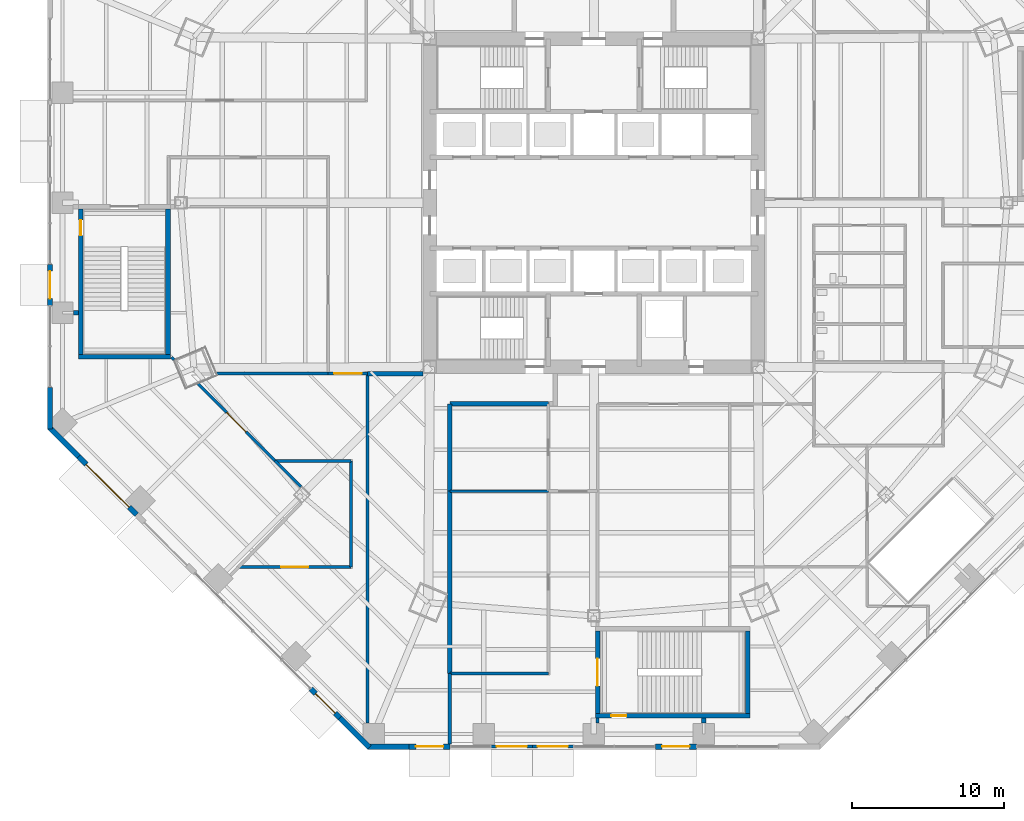
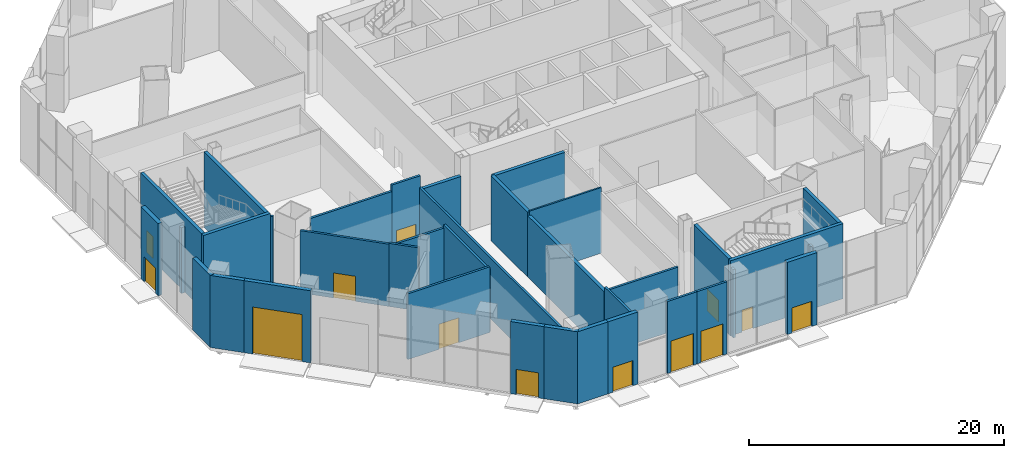
# One storey, part 19 of 35: 36 walls, 13 doors, 13 openings.
"""IFC4 building model written with IfcOpenShell, lengths in metres."""

from ifc_helpers import new_model, si_unit, direction, frame, frame_2d, origin, place, context, subcontext, project, spatial, rectangle, extrude, material, layer, layer_set, type_object, element, fill, save


model = new_model("IFC4")

# Units and contexts
model_context = context("Model", 3, precision=1e-05, world=origin(), true_north=direction((0.0, 1.0)))
body_context = subcontext(model_context, "Body", "Model", "MODEL_VIEW")
ifc_project = project(units=[si_unit("LENGTHUNIT", "METRE"), si_unit("AREAUNIT", "SQUARE_METRE"), si_unit("VOLUMEUNIT", "CUBIC_METRE"), si_unit("PLANEANGLEUNIT", "RADIAN"), si_unit("MASSUNIT", "GRAM", prefix="KILO")], contexts=[model_context])

# Site, building, storey
site_placement = place(None, origin())
site = spatial("IfcSite", under=ifc_project, at=site_placement, CompositionType="ELEMENT")
building_placement = place(site_placement, origin())
building = spatial("IfcBuilding", under=site, at=building_placement, Name="Mashrafa Tower", CompositionType="ELEMENT")
storey_placement = place(building_placement, origin())
storey = spatial("IfcBuildingStorey", under=building, at=storey_placement, Name="L00", CompositionType="ELEMENT", Elevation=0.0)

# Walls
ifc_material_1 = material(Name="Concrete masonry unit", Category="masonry")
ifc_layer_1 = layer(ifc_material_1, 0.199951171875)
ifc_layer_set_1 = layer_set([ifc_layer_1], Name="Blockwork wall 200 2 hr")
wall_type_1 = type_object("IfcWallType", Name="Blockwork wall 200 2 hr", PredefinedType="PARTITIONING", material=ifc_layer_set_1)
wall_1_placement = place(storey_placement, frame((-19.29638671875, -18.70361328125, 0.0), z_axis=(0.0, 0.0, 1.0), x_axis=(-0.707106781187, 0.707106781187, 0.0)))
element("IfcWall", 1, at=wall_1_placement, inside=storey, type_object=wall_type_1, Name="Blockwork wall L00-041", PredefinedType="PARTITIONING", context=body_context, shape_type="SweptSolid", body=[
    extrude(rectangle(XDim=2.41064453125, YDim=0.199951171875, at=frame_2d((1.205322265625, 0.0))), origin(), (0.0, 0.0, 1.0), 6.04931640625),
])
wall_2_placement = place(storey_placement, frame((-27.64990234375, -10.35009765625, 0.0), z_axis=(0.0, 0.0, 1.0), x_axis=(-0.707106781187, 0.707106781187, 0.0)))
element("IfcWall", 2, at=wall_2_placement, inside=storey, type_object=wall_type_1, Name="Blockwork wall L00-044", PredefinedType="PARTITIONING", context=body_context, shape_type="SweptSolid", body=[
    extrude(rectangle(XDim=0.25439453125, YDim=0.199951171875, at=frame_2d((0.127197265625, 0.0))), origin(), (0.0, 0.0, 1.0), 6.89990234375),
])
ifc_material_2 = material(Name="Concrete masonry unit", Category="masonry")
ifc_layer_2 = layer(ifc_material_2, 0.199951171875)
ifc_layer_set_2 = layer_set([ifc_layer_2], Name="Fire barrier wall 200 1 hr")
wall_type_2 = type_object("IfcWallType", Name="Fire barrier wall 200 1 hr", PredefinedType="PARTITIONING", material=ifc_layer_set_2)
wall_3_placement = place(storey_placement, frame((-14.89990234375, -11.25, 0.0), z_axis=(0.0, 0.0, 1.0), x_axis=(0.0, -1.0, 0.0)))
element("IfcWall", 3, at=wall_3_placement, inside=storey, type_object=wall_type_2, Name="Fire wall L00-010", PredefinedType="PARTITIONING", context=body_context, shape_type="SweptSolid", body=[
    extrude(rectangle(XDim=23.031005859375, YDim=0.199951171875, at=frame_2d((11.515625, 0.0))), origin(), (0.0, 0.0, 1.0), 5.7900390625),
])
wall_4_placement = place(storey_placement, frame((-9.489990234375, -35.64990234375, 0.0), z_axis=(0.0, 0.0, 1.0), x_axis=(0.0, 1.0, 0.0)))
element("IfcWall", 4, at=wall_4_placement, inside=storey, type_object=wall_type_2, Name="Fire wall L00-014", PredefinedType="PARTITIONING", context=body_context, shape_type="SweptSolid", body=[
    extrude(rectangle(XDim=4.65087890625, YDim=0.199951171875, at=frame_2d((2.325439453125, 0.0))), origin(), (0.0, 0.0, 1.0), 6.2880859375),
])
wall_5_placement = place(storey_placement, frame((0.25, -33.949462890625, 0.0), z_axis=(0.0, 0.0, 1.0), x_axis=(0.0, -1.0, 0.0)))
element("IfcWall", 5, at=wall_5_placement, inside=storey, type_object=wall_type_2, Name="Fire wall L00-024", PredefinedType="PARTITIONING", context=body_context, shape_type="SweptSolid", body=[
    extrude(rectangle(XDim=0.33154296875, YDim=0.199951171875, at=frame_2d((0.165771484375, 0.0))), origin(), (0.0, 0.0, 1.0), 6.534423828125),
])

# Wall, opening, door
wall_6_placement = place(storey_placement, frame((-20.9990234375, -17.0009765625, 0.0), z_axis=(0.0, 0.0, 1.0), x_axis=(-0.707106781187, 0.707106781187, 0.0)))
wall_6 = element("IfcWall", 6, at=wall_6_placement, inside=storey, type_object=wall_type_2, Name="Fire wall L00-042", PredefinedType="PARTITIONING", context=body_context, shape_type="SweptSolid", body=[
    extrude(rectangle(XDim=7.199951171875, YDim=0.199951171875, at=frame_2d((3.60009765625, 0.0))), origin(), (0.0, 0.0, 1.0), 5.962890625),
])
opening_1_placement = place(wall_6_placement, frame((2.699951171875, 0.0, 0.0)))
opening_1 = element("IfcOpeningElement", 7, at=opening_1_placement, cuts=wall_6, Name="Opening 00.006", PredefinedType="OPENING", context=body_context, shape_type="SweptSolid", body=[
    extrude(rectangle(XDim=1.800048828125, YDim=2.39990234375, at=frame_2d((0.89990234375, 1.199951171875))), frame((0.0, 0.10986328125, 0.0), z_axis=(0.0, -1.0, 0.0), x_axis=(1.0, 0.0, 0.0)), (0.0, 0.0, 1.0), 0.219970703125),
])
ifc_material_3 = material(Name="Steel door", Category="steel")
door_type_1 = type_object("IfcDoorType", Name="Door pair 1800 x 2400 90 min", OperationType="DOUBLE_DOOR_SINGLE_SWING", PredefinedType="DOOR", material=ifc_material_3)
door_1_placement = place(opening_1_placement, origin())
door_1 = element("IfcDoor", 8, at=door_1_placement, inside=storey, type_object=door_type_1, Name="Loading Dock door", OperationType="DOUBLE_DOOR_SINGLE_SWING", OverallHeight=2.39990234375, OverallWidth=1.800048828125, PredefinedType="DOOR", context=body_context, shape_type="SweptSolid", body=[
    extrude(rectangle(XDim=1.800048828125, YDim=2.39990234375, at=frame_2d((0.89990234375, 1.199951171875))), frame((0.0, 0.02490234375, 0.0), z_axis=(0.0, -1.0, 0.0), x_axis=(1.0, 0.0, 0.0)), (0.0, 0.0, 1.0), 0.050048828125),
])
fill(opening_1, door_1)

wall_7_placement = place(storey_placement, frame((-23.405517578125, -24.0, 0.0), z_axis=(0.0, 0.0, 1.0), x_axis=(1.0, 0.0, 0.0)))
wall_7 = element("IfcWall", 9, at=wall_7_placement, inside=storey, type_object=wall_type_2, Name="Fire wall L00-045", PredefinedType="PARTITIONING", context=body_context, shape_type="SweptSolid", body=[
    extrude(rectangle(XDim=7.405517578125, YDim=0.199951171875, at=frame_2d((3.70263671875, 0.0))), origin(), (0.0, 0.0, 1.0), 6.29052734375),
])
opening_2_placement = place(wall_7_placement, frame((2.802734375, 0.0, 0.0)))
opening_2 = element("IfcOpeningElement", 10, at=opening_2_placement, cuts=wall_7, Name="Opening 00.007", PredefinedType="OPENING", context=body_context, shape_type="SweptSolid", body=[
    extrude(rectangle(XDim=1.800048828125, YDim=2.39990234375, at=frame_2d((0.89990234375, 1.199951171875))), frame((0.0, 0.10986328125, 0.0), z_axis=(0.0, -1.0, 0.0), x_axis=(1.0, 0.0, 0.0)), (0.0, 0.0, 1.0), 0.219970703125),
])
door_2_placement = place(opening_2_placement, origin())
door_2 = element("IfcDoor", 11, at=door_2_placement, inside=storey, type_object=door_type_1, Name="Refuse Store L00 door", OperationType="DOUBLE_DOOR_SINGLE_SWING", OverallHeight=2.39990234375, OverallWidth=1.800048828125, PredefinedType="DOOR", context=body_context, shape_type="SweptSolid", body=[
    extrude(rectangle(XDim=1.800048828125, YDim=2.39990234375, at=frame_2d((0.89990234375, 1.199951171875))), frame((0.0, 0.02490234375, 0.0), z_axis=(0.0, -1.0, 0.0), x_axis=(1.0, 0.0, 0.0)), (0.0, 0.0, 1.0), 0.050048828125),
])
fill(opening_2, door_2)

# Walls
wall_8_placement = place(storey_placement, frame((-16.0, -24.0, 0.0), z_axis=(0.0, 0.0, 1.0), x_axis=(0.0, 1.0, 0.0)))
element("IfcWall", 12, at=wall_8_placement, inside=storey, type_object=wall_type_2, Name="Fire wall L00-046", PredefinedType="PARTITIONING", context=body_context, shape_type="SweptSolid", body=[
    extrude(rectangle(XDim=7.0, YDim=0.199951171875, at=frame_2d((3.5, 0.0))), origin(), (0.0, 0.0, 1.0), 6.04931640625),
])
wall_9_placement = place(storey_placement, frame((-16.0, -17.0, 0.0), z_axis=(0.0, 0.0, 1.0), x_axis=(-1.0, 0.0, 0.0)))
element("IfcWall", 13, at=wall_9_placement, inside=storey, type_object=wall_type_2, Name="Fire wall L00-047", PredefinedType="PARTITIONING", context=body_context, shape_type="SweptSolid", body=[
    extrude(rectangle(XDim=5.0, YDim=0.199951171875, at=frame_2d((2.5, 0.0))), origin(), (0.0, 0.0, 1.0), 5.7900390625),
])
wall_10_placement = place(storey_placement, frame((-17.4990234375, -11.25, 0.0), z_axis=(0.0, 0.0, 1.0), x_axis=(-1.0, 0.0, 0.0)))
element("IfcWall", 14, at=wall_10_placement, inside=storey, type_object=wall_type_2, Name="Fire wall L00-048", PredefinedType="PARTITIONING", context=body_context, shape_type="SweptSolid", body=[
    extrude(rectangle(XDim=7.35400390625, YDim=0.199951171875, at=frame_2d((3.677001953125, 0.0))), origin(), (0.0, 0.0, 1.0), 6.2880859375),
])

# Wall, opening, door
wall_11_placement = place(storey_placement, frame((-14.89990234375, -11.25, 0.0), z_axis=(0.0, 0.0, 1.0), x_axis=(-1.0, 0.0, 0.0)))
wall_11 = element("IfcWall", 15, at=wall_11_placement, inside=storey, type_object=wall_type_2, Name="Fire wall L00-049", PredefinedType="PARTITIONING", context=body_context, shape_type="SweptSolid", body=[
    extrude(rectangle(XDim=2.60107421875, YDim=0.199951171875, at=frame_2d((1.300537109375, 0.0))), origin(), (0.0, 0.0, 1.0), 6.89990234375),
])
opening_3_placement = place(wall_11_placement, frame((0.400390625, 0.0, 0.0)))
opening_3 = element("IfcOpeningElement", 16, at=opening_3_placement, cuts=wall_11, Name="Opening 00.008", PredefinedType="OPENING", context=body_context, shape_type="SweptSolid", body=[
    extrude(rectangle(XDim=1.800048828125, YDim=2.39990234375, at=frame_2d((0.89990234375, 1.199951171875))), frame((0.0, 0.10986328125, 0.0), z_axis=(0.0, -1.0, 0.0), x_axis=(1.0, 0.0, 0.0)), (0.0, 0.0, 1.0), 0.219970703125),
])
door_3_placement = place(opening_3_placement, frame((1.800048828125, 0.0, 0.0), z_axis=(0.0, 0.0, 1.0), x_axis=(-1.0, 0.0, 0.0)))
door_3 = element("IfcDoor", 17, at=door_3_placement, inside=storey, type_object=door_type_1, Name="Service Entrance Lobby L00 door", OperationType="DOUBLE_DOOR_SINGLE_SWING", OverallHeight=2.39990234375, OverallWidth=1.800048828125, PredefinedType="DOOR", context=body_context, shape_type="SweptSolid", body=[
    extrude(rectangle(XDim=1.800048828125, YDim=2.39990234375, at=frame_2d((0.89990234375, 1.199951171875))), frame((0.0, 0.02490234375, 0.0), z_axis=(0.0, -1.0, 0.0), x_axis=(1.0, 0.0, 0.0)), (0.0, 0.0, 1.0), 0.050048828125),
])
fill(opening_3, door_3)

# Wall
wall_12_placement = place(storey_placement, frame((-9.489990234375, -31.0, 0.0), z_axis=(0.0, 0.0, 1.0), x_axis=(1.0, 0.0, 0.0)))
element("IfcWall", 18, at=wall_12_placement, inside=storey, type_object=wall_type_2, Name="Fire wall L00-110", PredefinedType="PARTITIONING", context=body_context, shape_type="SweptSolid", body=[
    extrude(rectangle(XDim=6.489990234375, YDim=0.199951171875, at=frame_2d((3.2451171875, 0.0))), origin(), (0.0, 0.0, 1.0), 5.962890625),
])

# Wall, opening, door
ifc_material_4 = material(Name="Bronze-framed glazed screen")
ifc_layer_3 = layer(ifc_material_4, 0.199951171875)
ifc_layer_set_3 = layer_set([ifc_layer_3], Name="Glazed door screen 200")
wall_type_3 = type_object("IfcWallType", Name="Glazed door screen 200", PredefinedType="SOLIDWALL", material=ifc_layer_set_3)
wall_13_placement = place(storey_placement, frame((-6.75927734375, -35.824951171875, 0.0), z_axis=(0.0, 0.0, 1.0), x_axis=(1.0, 0.0, 0.0)))
wall_13 = element("IfcWall", 19, at=wall_13_placement, inside=storey, type_object=wall_type_3, Name="Glazed entrance screen L00 south bay 4", PredefinedType="SOLIDWALL", context=body_context, shape_type="SweptSolid", body=[
    extrude(rectangle(XDim=2.703857421875, YDim=0.199951171875, at=frame_2d((1.35205078125, 0.0))), origin(), (0.0, 0.0, 1.0), 6.89990234375),
])
opening_4_placement = place(wall_13_placement, frame((0.351806640625, 0.0, 0.0)))
opening_4 = element("IfcOpeningElement", 20, at=opening_4_placement, cuts=wall_13, Name="Opening ED1", PredefinedType="OPENING", context=body_context, shape_type="SweptSolid", body=[
    extrude(rectangle(XDim=2.0, YDim=3.0, at=frame_2d((1.0, 1.5))), frame((0.0, 0.10986328125, 0.0), z_axis=(0.0, -1.0, 0.0), x_axis=(1.0, 0.0, 0.0)), (0.0, 0.0, 1.0), 0.219970703125),
])
ifc_material_5 = material(Name="Bronze-framed glazed entrance door")
door_type_2 = type_object("IfcDoorType", Name="Entrance door pair 2000 x 3000", OperationType="DOUBLE_DOOR_SINGLE_SWING", PredefinedType="DOOR", material=ifc_material_5)
door_4_placement = place(opening_4_placement, origin())
door_4 = element("IfcDoor", 21, at=door_4_placement, inside=storey, type_object=door_type_2, Name="Apartment lobby entrance south", OperationType="SINGLE_SWING_LEFT", OverallHeight=3.0, OverallWidth=2.0, PredefinedType="DOOR", context=body_context, shape_type="SweptSolid", body=[
    extrude(rectangle(XDim=2.0, YDim=3.0, at=frame_2d((1.0, 1.5))), frame((0.0, 0.02490234375, 0.0), z_axis=(0.0, -1.0, 0.0), x_axis=(1.0, 0.0, 0.0)), (0.0, 0.0, 1.0), 0.050048828125),
])
fill(opening_4, door_4)

wall_14_placement = place(storey_placement, frame((-4.055419921875, -35.824951171875, 0.0), z_axis=(0.0, 0.0, 1.0), x_axis=(1.0, 0.0, 0.0)))
wall_14 = element("IfcWall", 22, at=wall_14_placement, inside=storey, type_object=wall_type_3, Name="Glazed entrance screen L00 south bay 5", PredefinedType="SOLIDWALL", context=body_context, shape_type="SweptSolid", body=[
    extrude(rectangle(XDim=2.70361328125, YDim=0.199951171875, at=frame_2d((1.351806640625, 0.0))), origin(), (0.0, 0.0, 1.0), 6.89990234375),
])
opening_5_placement = place(wall_14_placement, frame((0.351806640625, 0.0, 0.0)))
opening_5 = element("IfcOpeningElement", 23, at=opening_5_placement, cuts=wall_14, Name="Opening ED1", PredefinedType="OPENING", context=body_context, shape_type="SweptSolid", body=[
    extrude(rectangle(XDim=2.0, YDim=3.0, at=frame_2d((1.0, 1.5))), frame((0.0, 0.10986328125, 0.0), z_axis=(0.0, -1.0, 0.0), x_axis=(1.0, 0.0, 0.0)), (0.0, 0.0, 1.0), 0.219970703125),
])
door_5_placement = place(opening_5_placement, origin())
door_5 = element("IfcDoor", 24, at=door_5_placement, inside=storey, type_object=door_type_2, Name="Apartment lobby entrance south", OperationType="SINGLE_SWING_LEFT", OverallHeight=3.0, OverallWidth=2.0, PredefinedType="DOOR", context=body_context, shape_type="SweptSolid", body=[
    extrude(rectangle(XDim=2.0, YDim=3.0, at=frame_2d((1.0, 1.5))), frame((0.0, 0.02490234375, 0.0), z_axis=(0.0, -1.0, 0.0), x_axis=(1.0, 0.0, 0.0)), (0.0, 0.0, 1.0), 0.050048828125),
])
fill(opening_5, door_5)

ifc_material_6 = material(Name="Riyadh limestone cladding on blockwork", Category="masonry")
ifc_layer_4 = layer(ifc_material_6, 0.35009765625)
ifc_layer_set_4 = layer_set([ifc_layer_4], Name="Limestone-clad external wall 350")
wall_type_4 = type_object("IfcWallType", Name="Limestone-clad external wall 350", PredefinedType="SOLIDWALL", material=ifc_layer_set_4)
wall_15_placement = place(storey_placement, frame((-35.824951171875, -4.055419921875, 0.0), z_axis=(0.0, 0.0, 1.0), x_axis=(0.0, -1.0, 0.0)))
wall_15 = element("IfcWall", 25, at=wall_15_placement, inside=storey, type_object=wall_type_4, Name="Limestone door bay L00 west bay 8", PredefinedType="SOLIDWALL", context=body_context, shape_type="SweptSolid", body=[
    extrude(rectangle(XDim=2.703857421875, YDim=0.35009765625, at=frame_2d((1.35205078125, 0.0))), origin(), (0.0, 0.0, 1.0), 6.89990234375),
])
opening_6_placement = place(wall_15_placement, frame((0.451904296875, 0.0, 0.0)))
opening_6 = element("IfcOpeningElement", 26, at=opening_6_placement, cuts=wall_15, Name="Opening ED2", PredefinedType="OPENING", context=body_context, shape_type="SweptSolid", body=[
    extrude(rectangle(XDim=1.800048828125, YDim=2.39990234375, at=frame_2d((0.89990234375, 1.199951171875))), frame((0.0, 0.18505859375, 0.0), z_axis=(0.0, -1.0, 0.0), x_axis=(1.0, 0.0, 0.0)), (0.0, 0.0, 1.0), 0.3701171875),
])
ifc_material_7 = material(Name="Steel exit door", Category="steel")
door_type_3 = type_object("IfcDoorType", Name="Exit discharge door pair 1800 x 2400", OperationType="DOUBLE_DOOR_SINGLE_SWING", PredefinedType="DOOR", material=ifc_material_7)
door_6_placement = place(opening_6_placement, frame((1.800048828125, 0.0, 0.0), z_axis=(0.0, 0.0, 1.0), x_axis=(-1.0, 0.0, 0.0)))
door_6 = element("IfcDoor", 27, at=door_6_placement, inside=storey, type_object=door_type_3, Name="Stair P3 exit discharge west", OperationType="DOUBLE_DOOR_SINGLE_SWING", OverallHeight=2.39990234375, OverallWidth=1.800048828125, PredefinedType="DOOR", context=body_context, shape_type="SweptSolid", body=[
    extrude(rectangle(XDim=1.800048828125, YDim=2.39990234375, at=frame_2d((0.89990234375, 1.199951171875))), frame((0.0, 0.02490234375, 0.0), z_axis=(0.0, -1.0, 0.0), x_axis=(1.0, 0.0, 0.0)), (0.0, 0.0, 1.0), 0.050048828125),
])
fill(opening_6, door_6)

# Walls
for number, where, z_axis, x_axis, name in (
    (28, (-35.824951171875, -12.16650390625, 0.0), (0.0, 0.0, 1.0), (0.0, -1.0, 0.0), "Limestone corner pier L00 west bay 11"),
    (29, (-35.876220703125, -14.787841796875, 0.0), (0.0, 0.0, 1.0), (0.707106781187, -0.707106781187, 0.0), "Limestone corner pier L00 south-west bay 1"),
):
    element("IfcWall", number, at=place(storey_placement, frame(where, z_axis=z_axis, x_axis=x_axis)), inside=storey, type_object=wall_type_4, Name=name, PredefinedType="SOLIDWALL", context=body_context, shape_type="SweptSolid", body=[
        extrude(rectangle(XDim=2.7451171875, YDim=0.35009765625, at=frame_2d((1.37255859375, 0.0))), origin(), (0.0, 0.0, 1.0), 6.89990234375),
    ])

# Wall, opening, door
wall_16_placement = place(storey_placement, frame((-33.93505859375, -16.72900390625, 0.0), z_axis=(0.0, 0.0, 1.0), x_axis=(0.707084206144, -0.707129355509, 0.0)))
wall_16 = element("IfcWall", 30, at=wall_16_placement, inside=storey, type_object=wall_type_4, Name="Limestone door bay L00 south-west bay 2", PredefinedType="SOLIDWALL", context=body_context, shape_type="SweptSolid", body=[
    extrude(rectangle(XDim=5.407470703125, YDim=0.35009765625, at=frame_2d((2.70361328125, 0.0))), origin(), (0.0, 0.0, 1.0), 6.89990234375),
])
opening_7_placement = place(wall_16_placement, frame((0.70361328125, 0.0, 0.0)))
opening_7 = element("IfcOpeningElement", 31, at=opening_7_placement, cuts=wall_16, Name="Opening ED3", PredefinedType="OPENING", context=body_context, shape_type="SweptSolid", body=[
    extrude(rectangle(XDim=4.0, YDim=4.5, at=frame_2d((2.0, 2.25))), frame((0.0, 0.18505859375, 0.0), z_axis=(0.0, -1.0, 0.0), x_axis=(1.0, 0.0, 0.0)), (0.0, 0.0, 1.0), 0.3701171875),
])
ifc_material_8 = material(Name="Galvanised steel roller shutter", Category="steel")
door_type_4 = type_object("IfcDoorType", Name="Loading dock roller shutter 4000 x 4500", OperationType="ROLLINGUP", PredefinedType="DOOR", material=ifc_material_8)
door_7_placement = place(opening_7_placement, origin())
door_7 = element("IfcDoor", 32, at=door_7_placement, inside=storey, type_object=door_type_4, Name="Loading dock south-west", OperationType="SINGLE_SWING_LEFT", OverallHeight=4.5, OverallWidth=4.0, PredefinedType="DOOR", context=body_context, shape_type="SweptSolid", body=[
    extrude(rectangle(XDim=4.0, YDim=4.5, at=frame_2d((2.0, 2.25))), frame((0.0, 0.02490234375, 0.0), z_axis=(0.0, -1.0, 0.0), x_axis=(1.0, 0.0, 0.0)), (0.0, 0.0, 1.0), 0.050048828125),
])
fill(opening_7, door_7)

wall_17_placement = place(storey_placement, frame((-18.640869140625, -32.0234375, 0.0), z_axis=(0.0, 0.0, 1.0), x_axis=(0.707151930551, -0.707061628939, 0.0)))
wall_17 = element("IfcWall", 33, at=wall_17_placement, inside=storey, type_object=wall_type_4, Name="Limestone door bay L00 south-west bay 10", PredefinedType="SOLIDWALL", context=body_context, shape_type="SweptSolid", body=[
    extrude(rectangle(XDim=2.70361328125, YDim=0.35009765625, at=frame_2d((1.351806640625, 0.0))), origin(), (0.0, 0.0, 1.0), 6.89990234375),
])
opening_8_placement = place(wall_17_placement, frame((0.451904296875, 0.0, 0.0)))
opening_8 = element("IfcOpeningElement", 34, at=opening_8_placement, cuts=wall_17, Name="Opening ED2", PredefinedType="OPENING", context=body_context, shape_type="SweptSolid", body=[
    extrude(rectangle(XDim=1.800048828125, YDim=2.39990234375, at=frame_2d((0.89990234375, 1.199951171875))), frame((0.0, 0.18505859375, 0.0), z_axis=(0.0, -1.0, 0.0), x_axis=(1.0, 0.0, 0.0)), (0.0, 0.0, 1.0), 0.3701171875),
])
door_8_placement = place(opening_8_placement, frame((1.800048828125, 0.0, 0.0), z_axis=(0.0, 0.0, 1.0), x_axis=(-1.0, 0.0, 0.0)))
door_8 = element("IfcDoor", 35, at=door_8_placement, inside=storey, type_object=door_type_3, Name="Service entrance south-west", OperationType="DOUBLE_DOOR_SINGLE_SWING", OverallHeight=2.39990234375, OverallWidth=1.800048828125, PredefinedType="DOOR", context=body_context, shape_type="SweptSolid", body=[
    extrude(rectangle(XDim=1.800048828125, YDim=2.39990234375, at=frame_2d((0.89990234375, 1.199951171875))), frame((0.0, 0.02490234375, 0.0), z_axis=(0.0, -1.0, 0.0), x_axis=(1.0, 0.0, 0.0)), (0.0, 0.0, 1.0), 0.050048828125),
])
fill(opening_8, door_8)

# Walls
for number, where, z_axis, x_axis, name in (
    (36, (-16.72900390625, -33.93505859375, 0.0), (0.0, 0.0, 1.0), (0.707106781187, -0.707106781187, 0.0), "Limestone corner pier L00 south-west bay 11"),
    (37, (-14.91162109375, -35.824951171875, 0.0), (0.0, 0.0, 1.0), (1.0, 0.0, 0.0), "Limestone corner pier L00 south bay 1"),
):
    element("IfcWall", number, at=place(storey_placement, frame(where, z_axis=z_axis, x_axis=x_axis)), inside=storey, type_object=wall_type_4, Name=name, PredefinedType="SOLIDWALL", context=body_context, shape_type="SweptSolid", body=[
        extrude(rectangle(XDim=2.7451171875, YDim=0.35009765625, at=frame_2d((1.37255859375, 0.0))), origin(), (0.0, 0.0, 1.0), 6.89990234375),
    ])

# Wall, opening, door
wall_18_placement = place(storey_placement, frame((-12.16650390625, -35.824951171875, 0.0), z_axis=(0.0, 0.0, 1.0), x_axis=(1.0, 0.0, 0.0)))
wall_18 = element("IfcWall", 38, at=wall_18_placement, inside=storey, type_object=wall_type_4, Name="Limestone door bay L00 south bay 2", PredefinedType="SOLIDWALL", context=body_context, shape_type="SweptSolid", body=[
    extrude(rectangle(XDim=2.70361328125, YDim=0.35009765625, at=frame_2d((1.351806640625, 0.0))), origin(), (0.0, 0.0, 1.0), 6.89990234375),
])
opening_9_placement = place(wall_18_placement, frame((0.451904296875, 0.0, 0.0)))
opening_9 = element("IfcOpeningElement", 39, at=opening_9_placement, cuts=wall_18, Name="Opening ED2", PredefinedType="OPENING", context=body_context, shape_type="SweptSolid", body=[
    extrude(rectangle(XDim=1.800048828125, YDim=2.39990234375, at=frame_2d((0.89990234375, 1.199951171875))), frame((0.0, 0.18505859375, 0.0), z_axis=(0.0, -1.0, 0.0), x_axis=(1.0, 0.0, 0.0)), (0.0, 0.0, 1.0), 0.3701171875),
])
door_9_placement = place(opening_9_placement, frame((1.800048828125, 0.0, 0.0), z_axis=(0.0, 0.0, 1.0), x_axis=(-1.0, 0.0, 0.0)))
door_9 = element("IfcDoor", 40, at=door_9_placement, inside=storey, type_object=door_type_3, Name="Stair S3 exit discharge south", OperationType="DOUBLE_DOOR_SINGLE_SWING", OverallHeight=2.39990234375, OverallWidth=1.800048828125, PredefinedType="DOOR", context=body_context, shape_type="SweptSolid", body=[
    extrude(rectangle(XDim=1.800048828125, YDim=2.39990234375, at=frame_2d((0.89990234375, 1.199951171875))), frame((0.0, 0.02490234375, 0.0), z_axis=(0.0, -1.0, 0.0), x_axis=(1.0, 0.0, 0.0)), (0.0, 0.0, 1.0), 0.050048828125),
])
fill(opening_9, door_9)

wall_19_placement = place(storey_placement, frame((4.055419921875, -35.824951171875, 0.0), z_axis=(0.0, 0.0, 1.0), x_axis=(1.0, 0.0, 0.0)))
wall_19 = element("IfcWall", 41, at=wall_19_placement, inside=storey, type_object=wall_type_4, Name="Limestone door bay L00 south bay 8", PredefinedType="SOLIDWALL", context=body_context, shape_type="SweptSolid", body=[
    extrude(rectangle(XDim=2.703857421875, YDim=0.35009765625, at=frame_2d((1.35205078125, 0.0))), origin(), (0.0, 0.0, 1.0), 6.89990234375),
])
opening_10_placement = place(wall_19_placement, frame((0.451904296875, 0.0, 0.0)))
opening_10 = element("IfcOpeningElement", 42, at=opening_10_placement, cuts=wall_19, Name="Opening ED2", PredefinedType="OPENING", context=body_context, shape_type="SweptSolid", body=[
    extrude(rectangle(XDim=1.800048828125, YDim=2.39990234375, at=frame_2d((0.89990234375, 1.199951171875))), frame((0.0, 0.18505859375, 0.0), z_axis=(0.0, -1.0, 0.0), x_axis=(1.0, 0.0, 0.0)), (0.0, 0.0, 1.0), 0.3701171875),
])
door_10_placement = place(opening_10_placement, frame((1.800048828125, 0.0, 0.0), z_axis=(0.0, 0.0, 1.0), x_axis=(-1.0, 0.0, 0.0)))
door_10 = element("IfcDoor", 43, at=door_10_placement, inside=storey, type_object=door_type_3, Name="Stair P4 exit discharge south", OperationType="DOUBLE_DOOR_SINGLE_SWING", OverallHeight=2.39990234375, OverallWidth=1.800048828125, PredefinedType="DOOR", context=body_context, shape_type="SweptSolid", body=[
    extrude(rectangle(XDim=1.800048828125, YDim=2.39990234375, at=frame_2d((0.89990234375, 1.199951171875))), frame((0.0, 0.02490234375, 0.0), z_axis=(0.0, -1.0, 0.0), x_axis=(1.0, 0.0, 0.0)), (0.0, 0.0, 1.0), 0.050048828125),
])
fill(opening_10, door_10)

# Walls
ifc_material_9 = material(Name="Gypsum board on steel studs", Category="steel")
ifc_layer_5 = layer(ifc_material_9, 0.14990234375)
ifc_layer_set_5 = layer_set([ifc_layer_5], Name="Partition 150")
wall_type_5 = type_object("IfcWallType", Name="Partition 150", PredefinedType="PARTITIONING", material=ifc_layer_set_5)
wall_20_placement = place(storey_placement, frame((-9.489990234375, -19.0, 0.0), z_axis=(0.0, 0.0, 1.0), x_axis=(1.0, 0.0, 0.0)))
element("IfcWall", 44, at=wall_20_placement, inside=storey, type_object=wall_type_5, Name="Partition wall L00-063", PredefinedType="PARTITIONING", context=body_context, shape_type="SweptSolid", body=[
    extrude(rectangle(XDim=6.489990234375, YDim=0.14990234375, at=frame_2d((3.2451171875, 0.0))), origin(), (0.0, 0.0, 1.0), 6.282958984375),
])
ifc_material_10 = material(Name="Concrete C35/45", Category="concrete")
ifc_layer_6 = layer(ifc_material_10, 0.300048828125)
ifc_layer_set_6 = layer_set([ifc_layer_6], Name="Stair core wall 300 3 hr")
wall_type_6 = type_object("IfcWallType", Name="Stair core wall 300 3 hr", PredefinedType="SOLIDWALL", material=ifc_layer_set_6)
wall_21_placement = place(storey_placement, frame((-33.949951171875, -10.14990234375, 0.0), z_axis=(0.0, 0.0, 1.0), x_axis=(1.0, 0.0, 0.0)))
element("IfcWall", 45, at=wall_21_placement, inside=storey, type_object=wall_type_6, Name="Stair P3 core wall S L00", PredefinedType="SOLIDWALL", context=body_context, shape_type="SweptSolid", body=[
    extrude(rectangle(XDim=6.050048828125, YDim=0.300048828125, at=frame_2d((3.02490234375, 0.0))), origin(), (0.0, 0.0, 1.0), 7.199951171875),
])

# Wall, opening, door
wall_22_placement = place(storey_placement, frame((-33.800048828125, -0.39990234375, 0.0), z_axis=(0.0, 0.0, 1.0), x_axis=(0.0, -1.0, 0.0)))
wall_22 = element("IfcWall", 46, at=wall_22_placement, inside=storey, type_object=wall_type_6, Name="Stair P3 core wall W L00", PredefinedType="SOLIDWALL", context=body_context, shape_type="SweptSolid", body=[
    extrude(rectangle(XDim=9.60009765625, YDim=0.300048828125, at=frame_2d((4.800048828125, 0.0))), origin(), (0.0, 0.0, 1.0), 7.199951171875),
])
opening_11_placement = place(wall_22_placement, frame((0.75, 0.0, 0.0)))
opening_11 = element("IfcOpeningElement", 47, at=opening_11_placement, cuts=wall_22, Name="Opening 00.050", PredefinedType="OPENING", context=body_context, shape_type="SweptSolid", body=[
    extrude(rectangle(XDim=1.0, YDim=2.10009765625, at=frame_2d((0.5, 1.050048828125))), frame((0.0, 0.159912109375, 0.0), z_axis=(0.0, -1.0, 0.0), x_axis=(1.0, 0.0, 0.0)), (0.0, 0.0, 1.0), 0.320068359375),
])
ifc_material_11 = material(Name="Steel door", Category="steel")
door_type_5 = type_object("IfcDoorType", Name="Stair door 1000 x 2100 90 min", OperationType="USERDEFINED", PredefinedType="DOOR", material=ifc_material_11)
door_11_placement = place(opening_11_placement, origin())
door_11 = element("IfcDoor", 48, at=door_11_placement, inside=storey, type_object=door_type_5, Name="Stair P3 exit passage door L00", OperationType="SINGLE_SWING_LEFT", OverallHeight=2.10009765625, OverallWidth=1.0, PredefinedType="DOOR", context=body_context, shape_type="SweptSolid", body=[
    extrude(rectangle(XDim=1.0, YDim=2.10009765625, at=frame_2d((0.5, 1.050048828125))), frame((0.0, 0.02490234375, 0.0), z_axis=(0.0, -1.0, 0.0), x_axis=(1.0, 0.0, 0.0)), (0.0, 0.0, 1.0), 0.050048828125),
])
fill(opening_11, door_11)

# Wall
wall_23_placement = place(storey_placement, frame((-28.050048828125, -10.0, 0.0), z_axis=(0.0, 0.0, 1.0), x_axis=(0.0, 1.0, 0.0)))
element("IfcWall", 49, at=wall_23_placement, inside=storey, type_object=wall_type_6, Name="Stair P3 core wall E L00", PredefinedType="SOLIDWALL", context=body_context, shape_type="SweptSolid", body=[
    extrude(rectangle(XDim=9.60009765625, YDim=0.300048828125, at=frame_2d((4.800048828125, 0.0))), origin(), (0.0, 0.0, 1.0), 7.199951171875),
])

# Wall, opening, door
wall_24_placement = place(storey_placement, frame((0.10009765625, -33.800048828125, 0.0), z_axis=(0.0, 0.0, 1.0), x_axis=(1.0, 0.0, 0.0)))
wall_24 = element("IfcWall", 50, at=wall_24_placement, inside=storey, type_object=wall_type_6, Name="Stair P4 core wall S L00", PredefinedType="SOLIDWALL", context=body_context, shape_type="SweptSolid", body=[
    extrude(rectangle(XDim=10.199951171875, YDim=0.300048828125, at=frame_2d((5.10009765625, 0.0))), origin(), (0.0, 0.0, 1.0), 7.199951171875),
])
opening_12_placement = place(wall_24_placement, frame((1.050048828125, 0.0, 0.0)))
opening_12 = element("IfcOpeningElement", 51, at=opening_12_placement, cuts=wall_24, Name="Opening 00.052", PredefinedType="OPENING", context=body_context, shape_type="SweptSolid", body=[
    extrude(rectangle(XDim=1.0, YDim=2.10009765625, at=frame_2d((0.5, 1.050048828125))), frame((0.0, 0.159912109375, 0.0), z_axis=(0.0, -1.0, 0.0), x_axis=(1.0, 0.0, 0.0)), (0.0, 0.0, 1.0), 0.320068359375),
])
door_12_placement = place(opening_12_placement, origin())
door_12 = element("IfcDoor", 52, at=door_12_placement, inside=storey, type_object=door_type_5, Name="Stair P4 exit passage door L00", OperationType="SINGLE_SWING_LEFT", OverallHeight=2.10009765625, OverallWidth=1.0, PredefinedType="DOOR", context=body_context, shape_type="SweptSolid", body=[
    extrude(rectangle(XDim=1.0, YDim=2.10009765625, at=frame_2d((0.5, 1.050048828125))), frame((0.0, 0.02490234375, 0.0), z_axis=(0.0, -1.0, 0.0), x_axis=(1.0, 0.0, 0.0)), (0.0, 0.0, 1.0), 0.050048828125),
])
fill(opening_12, door_12)

wall_25_placement = place(storey_placement, frame((0.25, -28.199951171875, 0.0), z_axis=(0.0, 0.0, 1.0), x_axis=(0.0, -1.0, 0.0)))
wall_25 = element("IfcWall", 53, at=wall_25_placement, inside=storey, type_object=wall_type_6, Name="Stair P4 core wall W L00", PredefinedType="SOLIDWALL", context=body_context, shape_type="SweptSolid", body=[
    extrude(rectangle(XDim=5.449951171875, YDim=0.300048828125, at=frame_2d((2.72509765625, 0.0))), origin(), (0.0, 0.0, 1.0), 7.199951171875),
])
opening_13_placement = place(wall_25_placement, frame((1.824951171875, 0.0, 0.0)))
opening_13 = element("IfcOpeningElement", 54, at=opening_13_placement, cuts=wall_25, Name="Opening 00.051", PredefinedType="OPENING", context=body_context, shape_type="SweptSolid", body=[
    extrude(rectangle(XDim=1.800048828125, YDim=2.10009765625, at=frame_2d((0.89990234375, 1.050048828125))), frame((0.0, 0.159912109375, 0.0), z_axis=(0.0, -1.0, 0.0), x_axis=(1.0, 0.0, 0.0)), (0.0, 0.0, 1.0), 0.320068359375),
])
ifc_material_12 = material(Name="Steel door", Category="steel")
door_type_6 = type_object("IfcDoorType", Name="Stair door pair 1800 x 2100 90 min", OperationType="DOUBLE_DOOR_SINGLE_SWING", PredefinedType="DOOR", material=ifc_material_12)
door_13_placement = place(opening_13_placement, origin())
door_13 = element("IfcDoor", 55, at=door_13_placement, inside=storey, type_object=door_type_6, Name="Stair P4 door L00", OperationType="DOUBLE_DOOR_SINGLE_SWING", OverallHeight=2.10009765625, OverallWidth=1.800048828125, PredefinedType="DOOR", context=body_context, shape_type="SweptSolid", body=[
    extrude(rectangle(XDim=1.800048828125, YDim=2.10009765625, at=frame_2d((0.89990234375, 1.050048828125))), frame((0.0, 0.02490234375, 0.0), z_axis=(0.0, -1.0, 0.0), x_axis=(1.0, 0.0, 0.0)), (0.0, 0.0, 1.0), 0.050048828125),
])
fill(opening_13, door_13)

# Walls
wall_26_placement = place(storey_placement, frame((10.14990234375, -33.64990234375, 0.0), z_axis=(0.0, 0.0, 1.0), x_axis=(0.0, 1.0, 0.0)))
element("IfcWall", 56, at=wall_26_placement, inside=storey, type_object=wall_type_6, Name="Stair P4 core wall E L00", PredefinedType="SOLIDWALL", context=body_context, shape_type="SweptSolid", body=[
    extrude(rectangle(XDim=5.449951171875, YDim=0.300048828125, at=frame_2d((2.72509765625, 0.0))), origin(), (0.0, 0.0, 1.0), 7.199951171875),
])
ifc_material_13 = material(Name="Concrete masonry unit", Category="masonry")
ifc_layer_7 = layer(ifc_material_13, 0.300048828125)
ifc_layer_set_7 = layer_set([ifc_layer_7], Name="Stair enclosure wall 300 2 hr")
wall_type_7 = type_object("IfcWallType", Name="Stair enclosure wall 300 2 hr", PredefinedType="PARTITIONING", material=ifc_layer_set_7)
wall_27_placement = place(storey_placement, frame((-9.489990234375, -19.0009765625, 0.0), z_axis=(0.0, 0.0, 1.0), x_axis=(0.0, 1.0, 0.0)))
element("IfcWall", 57, at=wall_27_placement, inside=storey, type_object=wall_type_7, Name="Stair wall L00-011", PredefinedType="PARTITIONING", context=body_context, shape_type="SweptSolid", body=[
    extrude(rectangle(XDim=5.7509765625, YDim=0.300048828125, at=frame_2d((2.87548828125, 0.0))), origin(), (0.0, 0.0, 1.0), 6.2119140625),
])
wall_28_placement = place(storey_placement, frame((-9.489990234375, -13.25, 0.0), z_axis=(0.0, 0.0, 1.0), x_axis=(1.0, 0.0, 0.0)))
element("IfcWall", 58, at=wall_28_placement, inside=storey, type_object=wall_type_7, Name="Stair wall L00-012", PredefinedType="PARTITIONING", context=body_context, shape_type="SweptSolid", body=[
    extrude(rectangle(XDim=6.490966796875, YDim=0.300048828125, at=frame_2d((3.24560546875, 0.0))), origin(), (0.0, 0.0, 1.0), 6.2119140625),
])
wall_29_placement = place(storey_placement, frame((-9.489990234375, -31.0009765625, 0.0), z_axis=(0.0, 0.0, 1.0), x_axis=(0.0, 1.0, 0.0)))
element("IfcWall", 59, at=wall_29_placement, inside=storey, type_object=wall_type_7, Name="Stair wall L00-013", PredefinedType="PARTITIONING", context=body_context, shape_type="SweptSolid", body=[
    extrude(rectangle(XDim=12.001953125, YDim=0.300048828125, at=frame_2d((6.0009765625, 0.0))), origin(), (0.0, 0.0, 1.0), 5.879150390625),
])
wall_30_placement = place(storey_placement, frame((-11.26904296875, -11.25, 0.0), z_axis=(0.0, 0.0, 1.0), x_axis=(-1.0, 0.0, 0.0)))
element("IfcWall", 60, at=wall_30_placement, inside=storey, type_object=wall_type_7, Name="Stair wall L00-015", PredefinedType="PARTITIONING", context=body_context, shape_type="SweptSolid", body=[
    extrude(rectangle(XDim=3.630859375, YDim=0.300048828125, at=frame_2d((1.8154296875, 0.0))), origin(), (0.0, 0.0, 1.0), 5.590087890625),
])
for number, where, z_axis, x_axis, name in (
    (61, (-34.281005859375, -7.248779296875, 0.0), (0.0, 0.0, 1.0), (1.0, 0.0, 0.0), "Stair wall L00-022"),
    (62, (7.248779296875, -34.281005859375, 0.0), (0.0, 0.0, 1.0), (0.0, 1.0, 0.0), "Stair wall L00-023"),
):
    element("IfcWall", number, at=place(storey_placement, frame(where, z_axis=z_axis, x_axis=x_axis)), inside=storey, type_object=wall_type_7, Name=name, PredefinedType="PARTITIONING", context=body_context, shape_type="SweptSolid", body=[
        extrude(rectangle(XDim=0.33154296875, YDim=0.300048828125, at=frame_2d((0.165771484375, 0.0))), origin(), (0.0, 0.0, 1.0), 6.29052734375),
    ])

save(model, "model.ifc")
